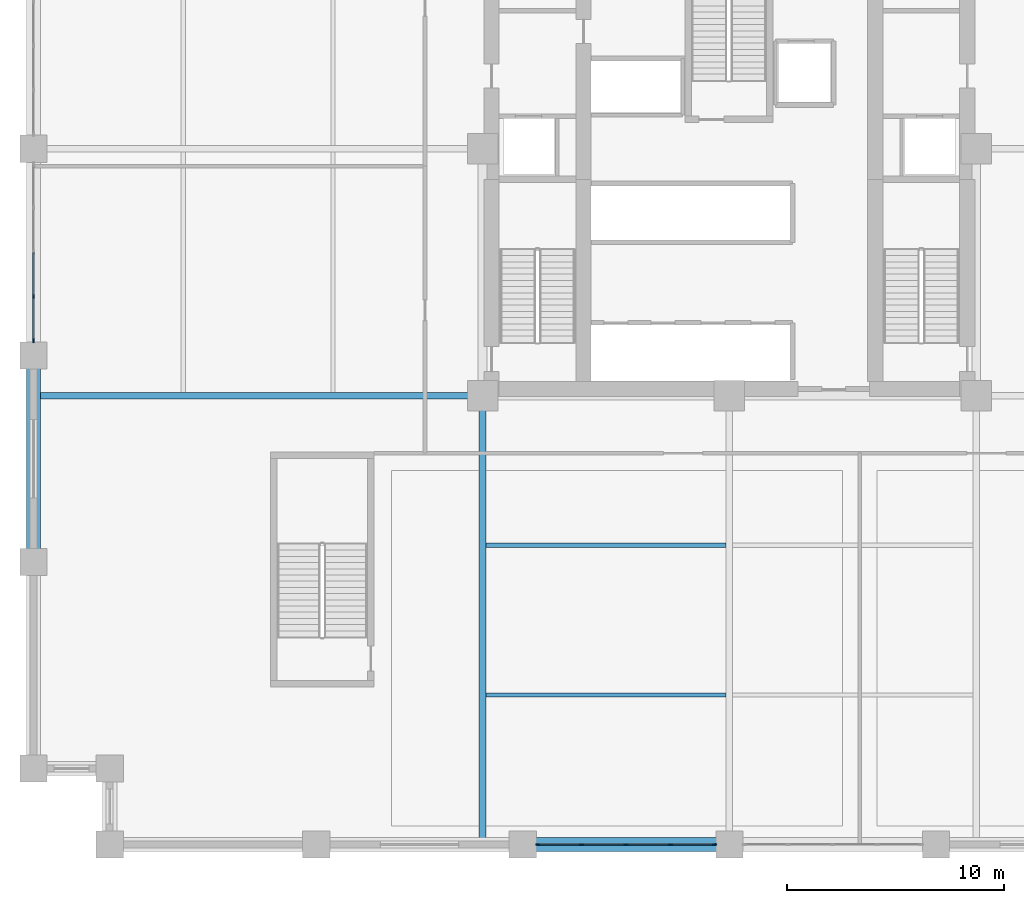
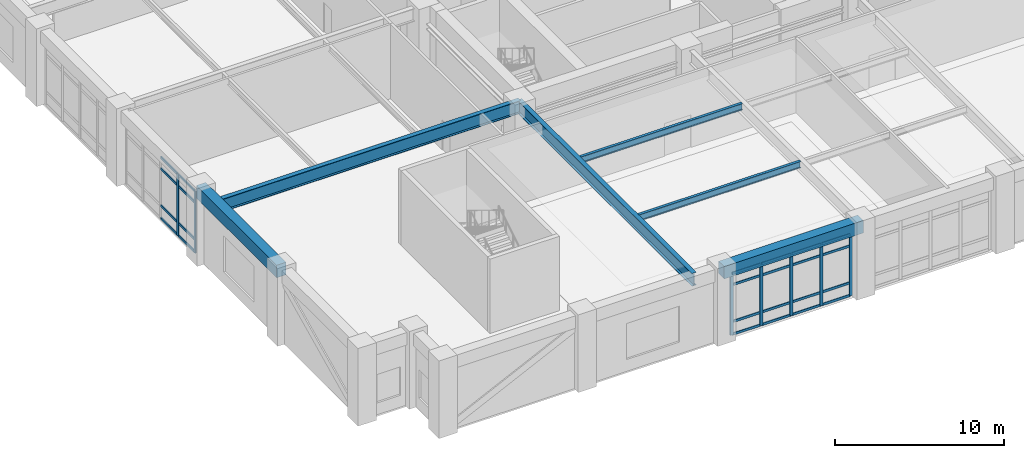
# One storey, part 2 of 21: 31 members, 6 beams, 2 elements without a shape of their own.
"""IFC4 building model written with IfcOpenShell, lengths in metres."""

from ifc_helpers import new_model, si_unit, direction, frame, origin, origin_2d, place, context, subcontext, project, spatial, rectangle, i_section, extrude, material, layer, layer_set, material_profile, profile_set, type_object, element, aggregate, save


model = new_model("IFC4")

# Units and contexts
model_context = context("Model", 3, precision=1e-05, world=origin(), true_north=direction((0.0, 1.0)))
body_context = subcontext(model_context, "Body", "Model", "MODEL_VIEW")
ifc_project = project(units=[si_unit("LENGTHUNIT", "METRE"), si_unit("AREAUNIT", "SQUARE_METRE"), si_unit("VOLUMEUNIT", "CUBIC_METRE"), si_unit("PLANEANGLEUNIT", "RADIAN"), si_unit("MASSUNIT", "GRAM", prefix="KILO")], contexts=[model_context])

# Site, building, storey
site_placement = place(None, origin())
site = spatial("IfcSite", under=ifc_project, at=site_placement, CompositionType="ELEMENT")
building_placement = place(site_placement, origin())
building = spatial("IfcBuilding", under=site, at=building_placement, Name="Nhamokura Convention Tower", CompositionType="ELEMENT")
storey_placement = place(building_placement, frame((0.0, 0.0, 6.64990234375)))
storey = spatial("IfcBuildingStorey", under=building, at=storey_placement, Name="L01", CompositionType="ELEMENT", Elevation=6.64990234375)

# Curtain wall, members
ifc_material_1 = material(Name="Anodised bronze aluminium AA6063-T6", Category="aluminium")
ifc_layer = layer(ifc_material_1, 0.179931640625)
ifc_layer_set = layer_set([ifc_layer], Name="CWSystem_PodiumConcourse")
curtain_wall_type = type_object("IfcCurtainWallType", Name="CWSystem_PodiumConcourse", PredefinedType="NOTDEFINED", material=ifc_layer_set)
curtain_wall_1_placement = place(storey_placement, origin())
curtain_wall_1 = element("IfcCurtainWall", 1, at=curtain_wall_1_placement, inside=storey, type_object=curtain_wall_type, Name="L01 Curtain Wall ENV-L01-CW-S2", PredefinedType="NOTDEFINED")
ifc_material_2 = material(Name="Anodised bronze aluminium AA6063-T6", Category="aluminium")
ifc_material_profile_1 = material_profile(ifc_material_2, rectangle(XDim=0.077880859375, YDim=0.201904296875, at=origin_2d()))
ifc_profile_set_1 = profile_set([ifc_material_profile_1], Name="Anodised bronze aluminium AA6063-T6")
member_type_1 = type_object("IfcMemberType", Name="CWMullion_1", PredefinedType="MULLION", material=ifc_profile_set_1)
member_1_placement = place(storey_placement, frame((31.31103515625, 0.0, 0.0), z_axis=(0.0, 0.0, 1.0), x_axis=(0.0, -1.0, 0.0)))
member_1 = element("IfcMember", 2, at=member_1_placement, type_object=member_type_1, Name="CW-01 mullion 1", PredefinedType="MULLION", context=body_context, shape_type="SweptSolid", body=[
    extrude(rectangle(XDim=0.077880859375, YDim=0.201904296875, at=origin_2d()), origin(), (0.0, 0.0, 1.0), 4.460205078125),
])
member_2_placement = place(storey_placement, frame((29.300048828125, 0.0, 0.0), z_axis=(0.0, 0.0, 1.0), x_axis=(0.0, -1.0, 0.0)))
member_2 = element("IfcMember", 3, at=member_2_placement, type_object=member_type_1, Name="CW-01 mullion 2", PredefinedType="MULLION", context=body_context, shape_type="SweptSolid", body=[
    extrude(rectangle(XDim=0.077880859375, YDim=0.201904296875, at=origin_2d()), origin(), (0.0, 0.0, 1.0), 4.460205078125),
])
member_3_placement = place(storey_placement, frame((27.25, 0.0, 0.0), z_axis=(0.0, 0.0, 1.0), x_axis=(0.0, -1.0, 0.0)))
member_3 = element("IfcMember", 4, at=member_3_placement, type_object=member_type_1, Name="CW-01 mullion 3", PredefinedType="MULLION", context=body_context, shape_type="SweptSolid", body=[
    extrude(rectangle(XDim=0.077880859375, YDim=0.201904296875, at=origin_2d()), origin(), (0.0, 0.0, 1.0), 4.460205078125),
])
member_4_placement = place(storey_placement, frame((25.199951171875, 0.0, 0.0), z_axis=(0.0, 0.0, 1.0), x_axis=(0.0, -1.0, 0.0)))
member_4 = element("IfcMember", 5, at=member_4_placement, type_object=member_type_1, Name="CW-01 mullion 4", PredefinedType="MULLION", context=body_context, shape_type="SweptSolid", body=[
    extrude(rectangle(XDim=0.077880859375, YDim=0.201904296875, at=origin_2d()), origin(), (0.0, 0.0, 1.0), 4.460205078125),
])
member_5_placement = place(storey_placement, frame((23.18896484375, 0.0, 0.0), z_axis=(0.0, 0.0, 1.0), x_axis=(0.0, -1.0, 0.0)))
member_5 = element("IfcMember", 6, at=member_5_placement, type_object=member_type_1, Name="CW-01 mullion 5", PredefinedType="MULLION", context=body_context, shape_type="SweptSolid", body=[
    extrude(rectangle(XDim=0.077880859375, YDim=0.201904296875, at=origin_2d()), origin(), (0.0, 0.0, 1.0), 4.460205078125),
])

curtain_wall_2_placement = place(storey_placement, origin())
curtain_wall_2 = element("IfcCurtainWall", 7, at=curtain_wall_2_placement, inside=storey, type_object=curtain_wall_type, Name="L01 Curtain Wall ENV-L01-CW-W2", PredefinedType="NOTDEFINED")
member_6_placement = place(storey_placement, frame((0.0, 23.18896484375, 0.0), z_axis=(0.0, 0.0, 1.0), x_axis=(-1.0, 0.0, 0.0)))
member_6 = element("IfcMember", 8, at=member_6_placement, type_object=member_type_1, Name="CW-01 mullion 1", PredefinedType="MULLION", context=body_context, shape_type="SweptSolid", body=[
    extrude(rectangle(XDim=0.077880859375, YDim=0.201904296875, at=origin_2d()), origin(), (0.0, 0.0, 1.0), 4.460205078125),
])
member_7_placement = place(storey_placement, frame((0.0, 25.199951171875, 0.0), z_axis=(0.0, 0.0, 1.0), x_axis=(-1.0, 0.0, 0.0)))
member_7 = element("IfcMember", 9, at=member_7_placement, type_object=member_type_1, Name="CW-01 mullion 2", PredefinedType="MULLION", context=body_context, shape_type="SweptSolid", body=[
    extrude(rectangle(XDim=0.077880859375, YDim=0.201904296875, at=origin_2d()), origin(), (0.0, 0.0, 1.0), 4.460205078125),
])

# Member
ifc_material_3 = material(Name="Anodised bronze aluminium AA6063-T6", Category="aluminium")
ifc_material_profile_2 = material_profile(ifc_material_3, rectangle(XDim=0.077880859375, YDim=0.172119140625, at=origin_2d()))
ifc_profile_set_2 = profile_set([ifc_material_profile_2], Name="Anodised bronze aluminium AA6063-T6")
member_type_2 = type_object("IfcMemberType", Name="CWTransom_1", PredefinedType="USERDEFINED", material=ifc_profile_set_2)
member_8_placement = place(storey_placement, frame((31.27197265625, 0.0, 0.0390625), z_axis=(-1.0, 0.0, 0.0), x_axis=(0.0, -1.0, 0.0)))
member_8 = element("IfcMember", 10, at=member_8_placement, type_object=member_type_2, Name="CW-01 transom 1.1", ObjectType="TRANSOM", PredefinedType="USERDEFINED", context=body_context, shape_type="SweptSolid", body=[
    extrude(rectangle(XDim=0.077880859375, YDim=0.172119140625, at=origin_2d()), origin(), (0.0, 0.0, 1.0), 1.932861328125),
])

member_9_placement = place(storey_placement, frame((31.27197265625, 0.0, 0.9501953125), z_axis=(-1.0, 0.0, 0.0), x_axis=(0.0, -1.0, 0.0)))
member_9 = element("IfcMember", 11, at=member_9_placement, type_object=member_type_2, Name="CW-01 transom 1.2", ObjectType="TRANSOM", PredefinedType="USERDEFINED", context=body_context, shape_type="SweptSolid", body=[
    extrude(rectangle(XDim=0.077880859375, YDim=0.172119140625, at=origin_2d()), origin(), (0.0, 0.0, 1.0), 1.932861328125),
])

member_10_placement = place(storey_placement, frame((31.27197265625, 0.0, 3.610107421875), z_axis=(-1.0, 0.0, 0.0), x_axis=(0.0, -1.0, 0.0)))
member_10 = element("IfcMember", 12, at=member_10_placement, type_object=member_type_2, Name="CW-01 transom 1.3", ObjectType="TRANSOM", PredefinedType="USERDEFINED", context=body_context, shape_type="SweptSolid", body=[
    extrude(rectangle(XDim=0.077880859375, YDim=0.172119140625, at=origin_2d()), origin(), (0.0, 0.0, 1.0), 1.932861328125),
])

member_11_placement = place(storey_placement, frame((31.27197265625, 0.0, 4.421142578125), z_axis=(-1.0, 0.0, 0.0), x_axis=(0.0, -1.0, 0.0)))
member_11 = element("IfcMember", 13, at=member_11_placement, type_object=member_type_2, Name="CW-01 transom 1.4", ObjectType="TRANSOM", PredefinedType="USERDEFINED", context=body_context, shape_type="SweptSolid", body=[
    extrude(rectangle(XDim=0.077880859375, YDim=0.172119140625, at=origin_2d()), origin(), (0.0, 0.0, 1.0), 1.932861328125),
])

member_12_placement = place(storey_placement, frame((29.260986328125, 0.0, 0.0390625), z_axis=(-1.0, 0.0, 0.0), x_axis=(0.0, -1.0, 0.0)))
member_12 = element("IfcMember", 14, at=member_12_placement, type_object=member_type_2, Name="CW-01 transom 2.1", ObjectType="TRANSOM", PredefinedType="USERDEFINED", context=body_context, shape_type="SweptSolid", body=[
    extrude(rectangle(XDim=0.077880859375, YDim=0.172119140625, at=origin_2d()), origin(), (0.0, 0.0, 1.0), 1.971923828125),
])

member_13_placement = place(storey_placement, frame((29.260986328125, 0.0, 0.9501953125), z_axis=(-1.0, 0.0, 0.0), x_axis=(0.0, -1.0, 0.0)))
member_13 = element("IfcMember", 15, at=member_13_placement, type_object=member_type_2, Name="CW-01 transom 2.2", ObjectType="TRANSOM", PredefinedType="USERDEFINED", context=body_context, shape_type="SweptSolid", body=[
    extrude(rectangle(XDim=0.077880859375, YDim=0.172119140625, at=origin_2d()), origin(), (0.0, 0.0, 1.0), 1.971923828125),
])

member_14_placement = place(storey_placement, frame((29.260986328125, 0.0, 3.610107421875), z_axis=(-1.0, 0.0, 0.0), x_axis=(0.0, -1.0, 0.0)))
member_14 = element("IfcMember", 16, at=member_14_placement, type_object=member_type_2, Name="CW-01 transom 2.3", ObjectType="TRANSOM", PredefinedType="USERDEFINED", context=body_context, shape_type="SweptSolid", body=[
    extrude(rectangle(XDim=0.077880859375, YDim=0.172119140625, at=origin_2d()), origin(), (0.0, 0.0, 1.0), 1.971923828125),
])

member_15_placement = place(storey_placement, frame((29.260986328125, 0.0, 4.421142578125), z_axis=(-1.0, 0.0, 0.0), x_axis=(0.0, -1.0, 0.0)))
member_15 = element("IfcMember", 17, at=member_15_placement, type_object=member_type_2, Name="CW-01 transom 2.4", ObjectType="TRANSOM", PredefinedType="USERDEFINED", context=body_context, shape_type="SweptSolid", body=[
    extrude(rectangle(XDim=0.077880859375, YDim=0.172119140625, at=origin_2d()), origin(), (0.0, 0.0, 1.0), 1.971923828125),
])

member_16_placement = place(storey_placement, frame((27.2109375, 0.0, 0.0390625), z_axis=(-1.0, 0.0, 0.0), x_axis=(0.0, -1.0, 0.0)))
member_16 = element("IfcMember", 18, at=member_16_placement, type_object=member_type_2, Name="CW-01 transom 3.1", ObjectType="TRANSOM", PredefinedType="USERDEFINED", context=body_context, shape_type="SweptSolid", body=[
    extrude(rectangle(XDim=0.077880859375, YDim=0.172119140625, at=origin_2d()), origin(), (0.0, 0.0, 1.0), 1.971923828125),
])

member_17_placement = place(storey_placement, frame((27.2109375, 0.0, 0.9501953125), z_axis=(-1.0, 0.0, 0.0), x_axis=(0.0, -1.0, 0.0)))
member_17 = element("IfcMember", 19, at=member_17_placement, type_object=member_type_2, Name="CW-01 transom 3.2", ObjectType="TRANSOM", PredefinedType="USERDEFINED", context=body_context, shape_type="SweptSolid", body=[
    extrude(rectangle(XDim=0.077880859375, YDim=0.172119140625, at=origin_2d()), origin(), (0.0, 0.0, 1.0), 1.971923828125),
])

member_18_placement = place(storey_placement, frame((27.2109375, 0.0, 3.610107421875), z_axis=(-1.0, 0.0, 0.0), x_axis=(0.0, -1.0, 0.0)))
member_18 = element("IfcMember", 20, at=member_18_placement, type_object=member_type_2, Name="CW-01 transom 3.3", ObjectType="TRANSOM", PredefinedType="USERDEFINED", context=body_context, shape_type="SweptSolid", body=[
    extrude(rectangle(XDim=0.077880859375, YDim=0.172119140625, at=origin_2d()), origin(), (0.0, 0.0, 1.0), 1.971923828125),
])

member_19_placement = place(storey_placement, frame((27.2109375, 0.0, 4.421142578125), z_axis=(-1.0, 0.0, 0.0), x_axis=(0.0, -1.0, 0.0)))
member_19 = element("IfcMember", 21, at=member_19_placement, type_object=member_type_2, Name="CW-01 transom 3.4", ObjectType="TRANSOM", PredefinedType="USERDEFINED", context=body_context, shape_type="SweptSolid", body=[
    extrude(rectangle(XDim=0.077880859375, YDim=0.172119140625, at=origin_2d()), origin(), (0.0, 0.0, 1.0), 1.971923828125),
])

member_20_placement = place(storey_placement, frame((25.160888671875, 0.0, 0.0390625), z_axis=(-1.0, 0.0, 0.0), x_axis=(0.0, -1.0, 0.0)))
member_20 = element("IfcMember", 22, at=member_20_placement, type_object=member_type_2, Name="CW-01 transom 4.1", ObjectType="TRANSOM", PredefinedType="USERDEFINED", context=body_context, shape_type="SweptSolid", body=[
    extrude(rectangle(XDim=0.077880859375, YDim=0.172119140625, at=origin_2d()), origin(), (0.0, 0.0, 1.0), 1.932861328125),
])

member_21_placement = place(storey_placement, frame((25.160888671875, 0.0, 0.9501953125), z_axis=(-1.0, 0.0, 0.0), x_axis=(0.0, -1.0, 0.0)))
member_21 = element("IfcMember", 23, at=member_21_placement, type_object=member_type_2, Name="CW-01 transom 4.2", ObjectType="TRANSOM", PredefinedType="USERDEFINED", context=body_context, shape_type="SweptSolid", body=[
    extrude(rectangle(XDim=0.077880859375, YDim=0.172119140625, at=origin_2d()), origin(), (0.0, 0.0, 1.0), 1.932861328125),
])

member_22_placement = place(storey_placement, frame((25.160888671875, 0.0, 3.610107421875), z_axis=(-1.0, 0.0, 0.0), x_axis=(0.0, -1.0, 0.0)))
member_22 = element("IfcMember", 24, at=member_22_placement, type_object=member_type_2, Name="CW-01 transom 4.3", ObjectType="TRANSOM", PredefinedType="USERDEFINED", context=body_context, shape_type="SweptSolid", body=[
    extrude(rectangle(XDim=0.077880859375, YDim=0.172119140625, at=origin_2d()), origin(), (0.0, 0.0, 1.0), 1.932861328125),
])

member_23_placement = place(storey_placement, frame((25.160888671875, 0.0, 4.421142578125), z_axis=(-1.0, 0.0, 0.0), x_axis=(0.0, -1.0, 0.0)))
member_23 = element("IfcMember", 25, at=member_23_placement, type_object=member_type_2, Name="CW-01 transom 4.4", ObjectType="TRANSOM", PredefinedType="USERDEFINED", context=body_context, shape_type="SweptSolid", body=[
    extrude(rectangle(XDim=0.077880859375, YDim=0.172119140625, at=origin_2d()), origin(), (0.0, 0.0, 1.0), 1.932861328125),
])

aggregate(curtain_wall_1, [member_1, member_2, member_3, member_4, member_5, member_8, member_9, member_10, member_11, member_12, member_13, member_14, member_15, member_16, member_17, member_18, member_19, member_20, member_21, member_22, member_23])

member_24_placement = place(storey_placement, frame((0.0, 23.22802734375, 0.0390625), z_axis=(0.0, 1.0, 0.0), x_axis=(-1.0, 0.0, 0.0)))
member_24 = element("IfcMember", 26, at=member_24_placement, type_object=member_type_2, Name="CW-01 transom 1.1", ObjectType="TRANSOM", PredefinedType="USERDEFINED", context=body_context, shape_type="SweptSolid", body=[
    extrude(rectangle(XDim=0.077880859375, YDim=0.172119140625, at=origin_2d()), origin(), (0.0, 0.0, 1.0), 1.932861328125),
])

member_25_placement = place(storey_placement, frame((0.0, 23.22802734375, 0.9501953125), z_axis=(0.0, 1.0, 0.0), x_axis=(-1.0, 0.0, 0.0)))
member_25 = element("IfcMember", 27, at=member_25_placement, type_object=member_type_2, Name="CW-01 transom 1.2", ObjectType="TRANSOM", PredefinedType="USERDEFINED", context=body_context, shape_type="SweptSolid", body=[
    extrude(rectangle(XDim=0.077880859375, YDim=0.172119140625, at=origin_2d()), origin(), (0.0, 0.0, 1.0), 1.932861328125),
])

member_26_placement = place(storey_placement, frame((0.0, 23.22802734375, 3.610107421875), z_axis=(0.0, 1.0, 0.0), x_axis=(-1.0, 0.0, 0.0)))
member_26 = element("IfcMember", 28, at=member_26_placement, type_object=member_type_2, Name="CW-01 transom 1.3", ObjectType="TRANSOM", PredefinedType="USERDEFINED", context=body_context, shape_type="SweptSolid", body=[
    extrude(rectangle(XDim=0.077880859375, YDim=0.172119140625, at=origin_2d()), origin(), (0.0, 0.0, 1.0), 1.932861328125),
])

member_27_placement = place(storey_placement, frame((0.0, 23.22802734375, 4.421142578125), z_axis=(0.0, 1.0, 0.0), x_axis=(-1.0, 0.0, 0.0)))
member_27 = element("IfcMember", 29, at=member_27_placement, type_object=member_type_2, Name="CW-01 transom 1.4", ObjectType="TRANSOM", PredefinedType="USERDEFINED", context=body_context, shape_type="SweptSolid", body=[
    extrude(rectangle(XDim=0.077880859375, YDim=0.172119140625, at=origin_2d()), origin(), (0.0, 0.0, 1.0), 1.932861328125),
])

member_28_placement = place(storey_placement, frame((0.0, 25.239013671875, 0.0390625), z_axis=(0.0, 1.0, 0.0), x_axis=(-1.0, 0.0, 0.0)))
member_28 = element("IfcMember", 30, at=member_28_placement, type_object=member_type_2, Name="CW-01 transom 2.1", ObjectType="TRANSOM", PredefinedType="USERDEFINED", context=body_context, shape_type="SweptSolid", body=[
    extrude(rectangle(XDim=0.077880859375, YDim=0.172119140625, at=origin_2d()), origin(), (0.0, 0.0, 1.0), 1.971923828125),
])

member_29_placement = place(storey_placement, frame((0.0, 25.239013671875, 0.9501953125), z_axis=(0.0, 1.0, 0.0), x_axis=(-1.0, 0.0, 0.0)))
member_29 = element("IfcMember", 31, at=member_29_placement, type_object=member_type_2, Name="CW-01 transom 2.2", ObjectType="TRANSOM", PredefinedType="USERDEFINED", context=body_context, shape_type="SweptSolid", body=[
    extrude(rectangle(XDim=0.077880859375, YDim=0.172119140625, at=origin_2d()), origin(), (0.0, 0.0, 1.0), 1.971923828125),
])

member_30_placement = place(storey_placement, frame((0.0, 25.239013671875, 3.610107421875), z_axis=(0.0, 1.0, 0.0), x_axis=(-1.0, 0.0, 0.0)))
member_30 = element("IfcMember", 32, at=member_30_placement, type_object=member_type_2, Name="CW-01 transom 2.3", ObjectType="TRANSOM", PredefinedType="USERDEFINED", context=body_context, shape_type="SweptSolid", body=[
    extrude(rectangle(XDim=0.077880859375, YDim=0.172119140625, at=origin_2d()), origin(), (0.0, 0.0, 1.0), 1.971923828125),
])

member_31_placement = place(storey_placement, frame((0.0, 25.239013671875, 4.421142578125), z_axis=(0.0, 1.0, 0.0), x_axis=(-1.0, 0.0, 0.0)))
member_31 = element("IfcMember", 33, at=member_31_placement, type_object=member_type_2, Name="CW-01 transom 2.4", ObjectType="TRANSOM", PredefinedType="USERDEFINED", context=body_context, shape_type="SweptSolid", body=[
    extrude(rectangle(XDim=0.077880859375, YDim=0.172119140625, at=origin_2d()), origin(), (0.0, 0.0, 1.0), 1.971923828125),
])

aggregate(curtain_wall_2, [member_6, member_7, member_24, member_25, member_26, member_27, member_28, member_29, member_30, member_31])

# Beams
ifc_material_4 = material(Name="Steel ASTM A992 Gr 50", Category="steel")
ifc_material_profile_3 = material_profile(ifc_material_4, i_section(OverallWidth=0.19189453125, OverallDepth=0.462890625, WebThickness=0.010498046875, FlangeThickness=0.017578125, at=origin_2d()))
ifc_profile_set_3 = profile_set([ifc_material_profile_3], Name="Steel ASTM A992 Gr 50")
beam_type_1 = type_object("IfcBeamType", Name="FloorJoist_W460X89", PredefinedType="JOIST", material=ifc_profile_set_3)
for number, where, z_axis, x_axis, name in (
    (34, (20.802001953125, 6.88330078125, 5.128662109375), (1.0, 0.0, 0.0), (0.0, 1.0, 0.0), "L01 Composite Floor Joist S1A"),
    (35, (20.802001953125, 13.7666015625, 5.128662109375), (1.0, 0.0, 0.0), (0.0, 1.0, 0.0), "L01 Composite Floor Joist S2A"),
):
    element("IfcBeam", number, at=place(storey_placement, frame(where, z_axis=z_axis, x_axis=x_axis)), inside=storey, type_object=beam_type_1, Name=name, PredefinedType="JOIST", context=body_context, shape_type="SweptSolid", body=[
        extrude(i_section(OverallWidth=0.19189453125, OverallDepth=0.462890625, WebThickness=0.010498046875, FlangeThickness=0.017578125, at=origin_2d()), origin(), (0.0, 0.0, 1.0), 11.0458984375),
    ])
ifc_material_5 = material(Name="Steel ASTM A992 Gr 50", Category="steel")
ifc_material_profile_4 = material_profile(ifc_material_5, i_section(OverallWidth=0.30810546875, OverallDepth=0.927001953125, WebThickness=0.019287109375, FlangeThickness=0.031982421875, at=origin_2d()))
ifc_profile_set_4 = profile_set([ifc_material_profile_4], Name="Steel ASTM A992 Gr 50")
beam_type_2 = type_object("IfcBeamType", Name="HallGirder_W920X289", PredefinedType="BEAM", material=ifc_profile_set_4)
for number, where, z_axis, x_axis, name in (
    (36, (20.64990234375, 0.0, 4.896484375), (0.0, 1.0, 0.0), (-1.0, 0.0, 0.0), "L01 Primary Floor Girder PG-S1"),
    (37, (0.0, 20.64990234375, 4.896484375), (1.0, 0.0, 0.0), (0.0, 1.0, 0.0), "L01 Primary Floor Girder PG-W1"),
):
    element("IfcBeam", number, at=place(storey_placement, frame(where, z_axis=z_axis, x_axis=x_axis)), inside=storey, type_object=beam_type_2, Name=name, PredefinedType="BEAM", context=body_context, shape_type="SweptSolid", body=[
        extrude(i_section(OverallWidth=0.30810546875, OverallDepth=0.927001953125, WebThickness=0.019287109375, FlangeThickness=0.031982421875, at=origin_2d()), origin(), (0.0, 0.0, 1.0), 20.64990234375),
    ])
ifc_material_6 = material(Name="Concrete C60/75", Category="concrete")
ifc_material_profile_5 = material_profile(ifc_material_6, rectangle(XDim=0.64990234375, YDim=0.89990234375, at=origin_2d()))
ifc_profile_set_5 = profile_set([ifc_material_profile_5], Name="Concrete C60/75")
beam_type_3 = type_object("IfcBeamType", Name="TubeSpandrel_900", PredefinedType="SPANDREL", material=ifc_profile_set_5)
for number, where, z_axis, x_axis, name in (
    (38, (22.5, 0.0, 4.91015625), (1.0, 0.0, 0.0), (0.0, 1.0, 0.0), "L01 Perimeter Spandrel SOUTH 3"),
    (39, (0.0, 13.0, 4.91015625), (0.0, 1.0, 0.0), (-1.0, 0.0, 0.0), "L01 Perimeter Spandrel WEST 2"),
):
    element("IfcBeam", number, at=place(storey_placement, frame(where, z_axis=z_axis, x_axis=x_axis)), inside=storey, type_object=beam_type_3, Name=name, PredefinedType="SPANDREL", context=body_context, shape_type="SweptSolid", body=[
        extrude(rectangle(XDim=0.64990234375, YDim=0.89990234375, at=origin_2d()), origin(), (0.0, 0.0, 1.0), 9.5),
    ])

save(model, "model.ifc")
